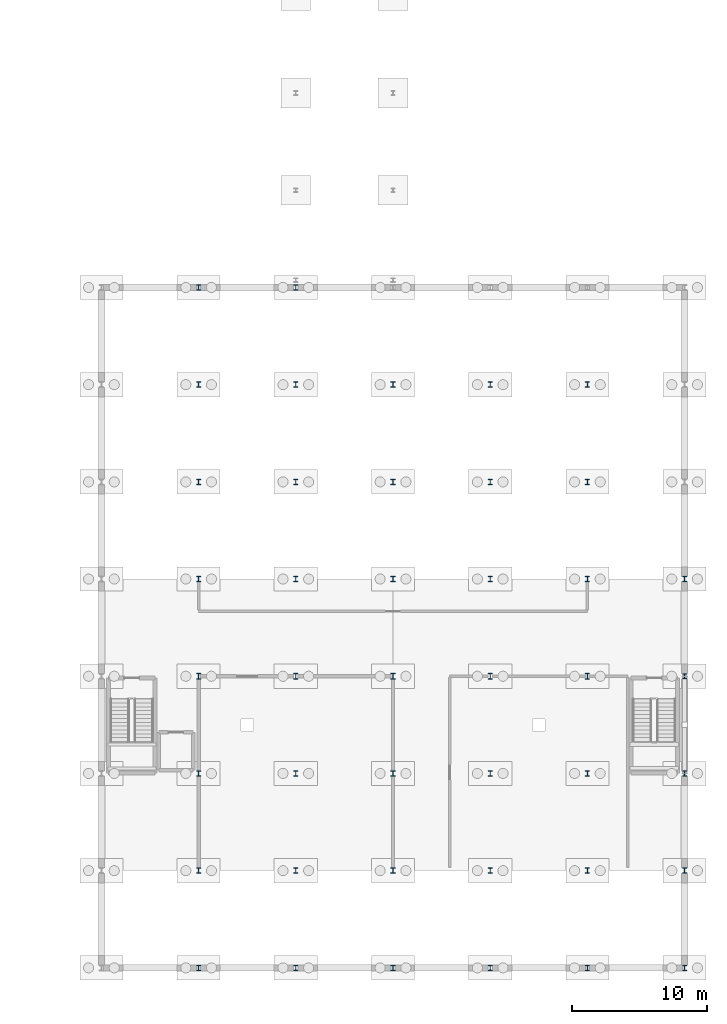
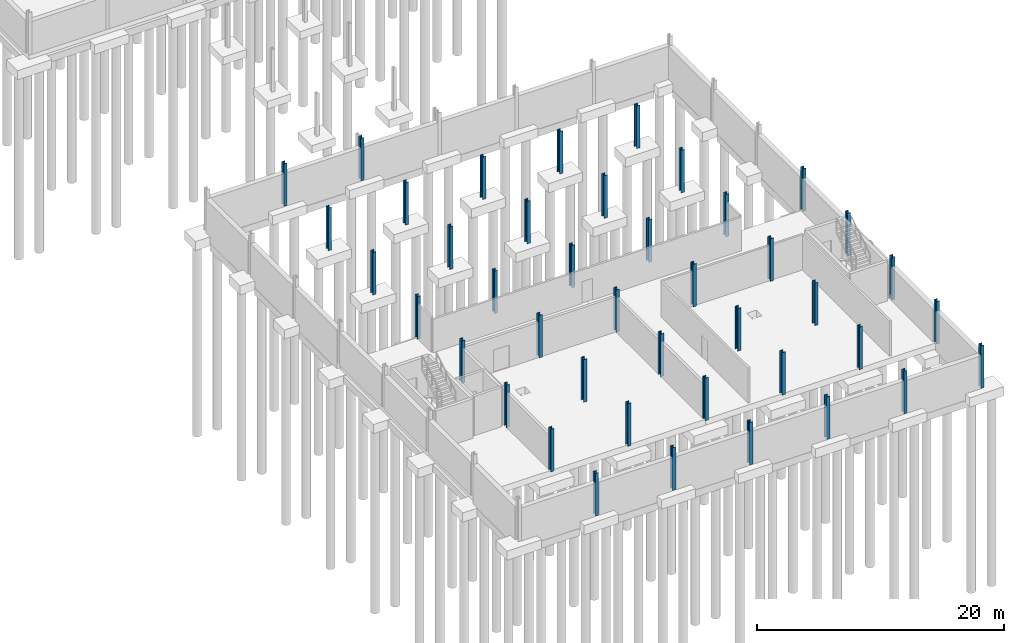
# One storey, part 24 of 50: 42 columns.
"""IFC4 building model written with IfcOpenShell, lengths in metres."""

from ifc_helpers import new_model, si_unit, direction, frame, origin, origin_2d, place, context, subcontext, project, spatial, i_section, extrude, material, material_profile, profile_set, type_object, element, save


model = new_model("IFC4")

# Units and contexts
model_context = context("Model", 3, precision=1e-05, world=origin(), true_north=direction((0.0, 1.0)))
body_context = subcontext(model_context, "Body", "Model", "MODEL_VIEW")
ifc_project = project(units=[si_unit("LENGTHUNIT", "METRE"), si_unit("AREAUNIT", "SQUARE_METRE"), si_unit("VOLUMEUNIT", "CUBIC_METRE"), si_unit("PLANEANGLEUNIT", "RADIAN"), si_unit("MASSUNIT", "GRAM", prefix="KILO")], contexts=[model_context])

# Site, building, storey
site_placement = place(None, origin())
site = spatial("IfcSite", under=ifc_project, at=site_placement, CompositionType="ELEMENT")
building_placement = place(site_placement, origin())
building = spatial("IfcBuilding", under=site, at=building_placement, Name="Narikvali Park Central Library", CompositionType="ELEMENT")
storey_placement = place(building_placement, frame((0.0, 0.0, -4.199951171875)))
storey = spatial("IfcBuildingStorey", under=building, at=storey_placement, Name="B1", CompositionType="ELEMENT", Elevation=-4.199951171875)

# Columns
ifc_material = material(Name="Steel S355", Category="steel")
ifc_material_profile_1 = material_profile(ifc_material, i_section(OverallWidth=0.306884765625, OverallDepth=0.431884765625, WebThickness=0.02099609375, FlangeThickness=0.0400390625, FilletRadius=0.027099609375, at=origin_2d()), Name="HEM 400")
ifc_profile_set_1 = profile_set([ifc_material_profile_1], Name="Steel S355")
column_type_1 = type_object("IfcColumnType", Name="Community Interior Column HEM400", PredefinedType="COLUMN", material=ifc_profile_set_1)
for number, where, z_axis, x_axis, name in (
    (1, (129.60009765625, 14.39990234375, 0.0), (0.0, 0.0, 1.0), (1.0, 0.0, 0.0), "V6 B1 Column (129.6,14.4)"),
    (2, (129.60009765625, 21.60009765625, 0.0), (0.0, 0.0, 1.0), (1.0, 0.0, 0.0), "V6 B1 Column (129.6,21.6)"),
    (3, (136.800048828125, 14.39990234375, 0.0), (0.0, 0.0, 1.0), (1.0, 0.0, 0.0), "V6 B1 Column (136.8,14.4)"),
    (4, (136.800048828125, 21.60009765625, 0.0), (0.0, 0.0, 1.0), (1.0, 0.0, 0.0), "V6 B1 Column (136.8,21.6)"),
    (5, (144.0, 14.39990234375, 0.0), (0.0, 0.0, 1.0), (1.0, 0.0, 0.0), "V6 B1 Column (144.0,14.4)"),
    (6, (144.0, 21.60009765625, 0.0), (0.0, 0.0, 1.0), (1.0, 0.0, 0.0), "V6 B1 Column (144.0,21.6)"),
    (7, (151.199951171875, 14.39990234375, 0.0), (0.0, 0.0, 1.0), (1.0, 0.0, 0.0), "V6 B1 Column (151.2,14.4)"),
    (8, (151.199951171875, 21.60009765625, 0.0), (0.0, 0.0, 1.0), (1.0, 0.0, 0.0), "V6 B1 Column (151.2,21.6)"),
    (9, (158.39990234375, 14.39990234375, 0.0), (0.0, 0.0, 1.0), (1.0, 0.0, 0.0), "V6 B1 Column (158.4,14.4)"),
    (10, (158.39990234375, 21.60009765625, 0.0), (0.0, 0.0, 1.0), (1.0, 0.0, 0.0), "V6 B1 Column (158.4,21.6)"),
):
    element("IfcColumn", number, at=place(storey_placement, frame(where, z_axis=z_axis, x_axis=x_axis)), inside=storey, type_object=column_type_1, Name=name, PredefinedType="COLUMN", context=body_context, shape_type="SweptSolid", body=[
        extrude(i_section(OverallWidth=0.306884765625, OverallDepth=0.431884765625, WebThickness=0.02099609375, FlangeThickness=0.0400390625, FilletRadius=0.027099609375, at=origin_2d()), origin(), (0.0, 0.0, 1.0), 4.199951171875),
    ])
ifc_material_profile_2 = material_profile(ifc_material, i_section(OverallWidth=0.30810546875, OverallDepth=0.39501953125, WebThickness=0.02099609375, FlangeThickness=0.035888671875, FilletRadius=0.027099609375, at=origin_2d()), Name="HEM 360")
ifc_profile_set_2 = profile_set([ifc_material_profile_2], Name="Steel S355")
column_type_2 = type_object("IfcColumnType", Name="Steel Column HEM360", PredefinedType="COLUMN", material=ifc_profile_set_2)
for number, where, z_axis, x_axis, name in (
    (11, (129.60009765625, 0.0, 0.0), (0.0, 0.0, 1.0), (1.0, 0.0, 0.0), "V6 B1 Foundation Column (129.6,0.0)"),
    (12, (129.60009765625, 36.0, 0.0), (0.0, 0.0, 1.0), (1.0, 0.0, 0.0), "V6 B1 Foundation Column (129.6,36.0)"),
    (13, (129.60009765625, 43.199951171875, 0.0), (0.0, 0.0, 1.0), (1.0, 0.0, 0.0), "V6 B1 Foundation Column (129.6,43.2)"),
    (14, (129.60009765625, 50.39990234375, 0.0), (0.0, 0.0, 1.0), (1.0, 0.0, 0.0), "V6 B1 Foundation Column (129.6,50.4)"),
    (15, (136.800048828125, 0.0, 0.0), (0.0, 0.0, 1.0), (1.0, 0.0, 0.0), "V6 B1 Foundation Column (136.8,0.0)"),
    (16, (136.800048828125, 36.0, 0.0), (0.0, 0.0, 1.0), (1.0, 0.0, 0.0), "V6 B1 Foundation Column (136.8,36.0)"),
    (17, (136.800048828125, 43.199951171875, 0.0), (0.0, 0.0, 1.0), (1.0, 0.0, 0.0), "V6 B1 Foundation Column (136.8,43.2)"),
    (18, (136.800048828125, 50.39990234375, 0.0), (0.0, 0.0, 1.0), (1.0, 0.0, 0.0), "V6 B1 Foundation Column (136.8,50.4)"),
    (19, (144.0, 0.0, 0.0), (0.0, 0.0, 1.0), (1.0, 0.0, 0.0), "V6 B1 Foundation Column (144.0,0.0)"),
    (20, (144.0, 36.0, 0.0), (0.0, 0.0, 1.0), (1.0, 0.0, 0.0), "V6 B1 Foundation Column (144.0,36.0)"),
    (21, (144.0, 43.199951171875, 0.0), (0.0, 0.0, 1.0), (1.0, 0.0, 0.0), "V6 B1 Foundation Column (144.0,43.2)"),
    (22, (151.199951171875, 0.0, 0.0), (0.0, 0.0, 1.0), (1.0, 0.0, 0.0), "V6 B1 Foundation Column (151.2,0.0)"),
    (23, (151.199951171875, 36.0, 0.0), (0.0, 0.0, 1.0), (1.0, 0.0, 0.0), "V6 B1 Foundation Column (151.2,36.0)"),
    (24, (151.199951171875, 43.199951171875, 0.0), (0.0, 0.0, 1.0), (1.0, 0.0, 0.0), "V6 B1 Foundation Column (151.2,43.2)"),
    (25, (158.39990234375, 0.0, 0.0), (0.0, 0.0, 1.0), (1.0, 0.0, 0.0), "V6 B1 Foundation Column (158.4,0.0)"),
    (26, (158.39990234375, 36.0, 0.0), (0.0, 0.0, 1.0), (1.0, 0.0, 0.0), "V6 B1 Foundation Column (158.4,36.0)"),
    (27, (158.39990234375, 43.199951171875, 0.0), (0.0, 0.0, 1.0), (1.0, 0.0, 0.0), "V6 B1 Foundation Column (158.4,43.2)"),
    (28, (165.60009765625, 0.0, 0.0), (0.0, 0.0, 1.0), (1.0, 0.0, 0.0), "V6 B1 Foundation Column (165.6,0.0)"),
    (29, (129.60009765625, 7.199951171875, 0.0), (0.0, 0.0, 1.0), (1.0, 0.0, 0.0), "V6 B1 Column (129.6,7.2)"),
    (30, (129.60009765625, 28.800048828125, 0.0), (0.0, 0.0, 1.0), (1.0, 0.0, 0.0), "V6 B1 Column (129.6,28.8)"),
    (31, (136.800048828125, 7.199951171875, 0.0), (0.0, 0.0, 1.0), (1.0, 0.0, 0.0), "V6 B1 Column (136.8,7.2)"),
    (32, (136.800048828125, 28.800048828125, 0.0), (0.0, 0.0, 1.0), (1.0, 0.0, 0.0), "V6 B1 Column (136.8,28.8)"),
    (33, (144.0, 7.199951171875, 0.0), (0.0, 0.0, 1.0), (1.0, 0.0, 0.0), "V6 B1 Column (144.0,7.2)"),
    (34, (144.0, 28.800048828125, 0.0), (0.0, 0.0, 1.0), (1.0, 0.0, 0.0), "V6 B1 Column (144.0,28.8)"),
    (35, (151.199951171875, 7.199951171875, 0.0), (0.0, 0.0, 1.0), (1.0, 0.0, 0.0), "V6 B1 Column (151.2,7.2)"),
    (36, (151.199951171875, 28.800048828125, 0.0), (0.0, 0.0, 1.0), (1.0, 0.0, 0.0), "V6 B1 Column (151.2,28.8)"),
    (37, (158.39990234375, 7.199951171875, 0.0), (0.0, 0.0, 1.0), (1.0, 0.0, 0.0), "V6 B1 Column (158.4,7.2)"),
    (38, (158.39990234375, 28.800048828125, 0.0), (0.0, 0.0, 1.0), (1.0, 0.0, 0.0), "V6 B1 Column (158.4,28.8)"),
    (39, (165.60009765625, 7.199951171875, 0.0), (0.0, 0.0, 1.0), (1.0, 0.0, 0.0), "V6 B1 Column (165.6,7.2)"),
    (40, (165.60009765625, 14.39990234375, 0.0), (0.0, 0.0, 1.0), (1.0, 0.0, 0.0), "V6 B1 Column (165.6,14.4)"),
    (41, (165.60009765625, 21.60009765625, 0.0), (0.0, 0.0, 1.0), (1.0, 0.0, 0.0), "V6 B1 Column (165.6,21.6)"),
    (42, (165.60009765625, 28.800048828125, 0.0), (0.0, 0.0, 1.0), (1.0, 0.0, 0.0), "V6 B1 Column (165.6,28.8)"),
):
    element("IfcColumn", number, at=place(storey_placement, frame(where, z_axis=z_axis, x_axis=x_axis)), inside=storey, type_object=column_type_2, Name=name, PredefinedType="COLUMN", context=body_context, shape_type="SweptSolid", body=[
        extrude(i_section(OverallWidth=0.30810546875, OverallDepth=0.39501953125, WebThickness=0.02099609375, FlangeThickness=0.035888671875, FilletRadius=0.027099609375, at=origin_2d()), origin(), (0.0, 0.0, 1.0), 4.199951171875),
    ])

save(model, "model.ifc")
